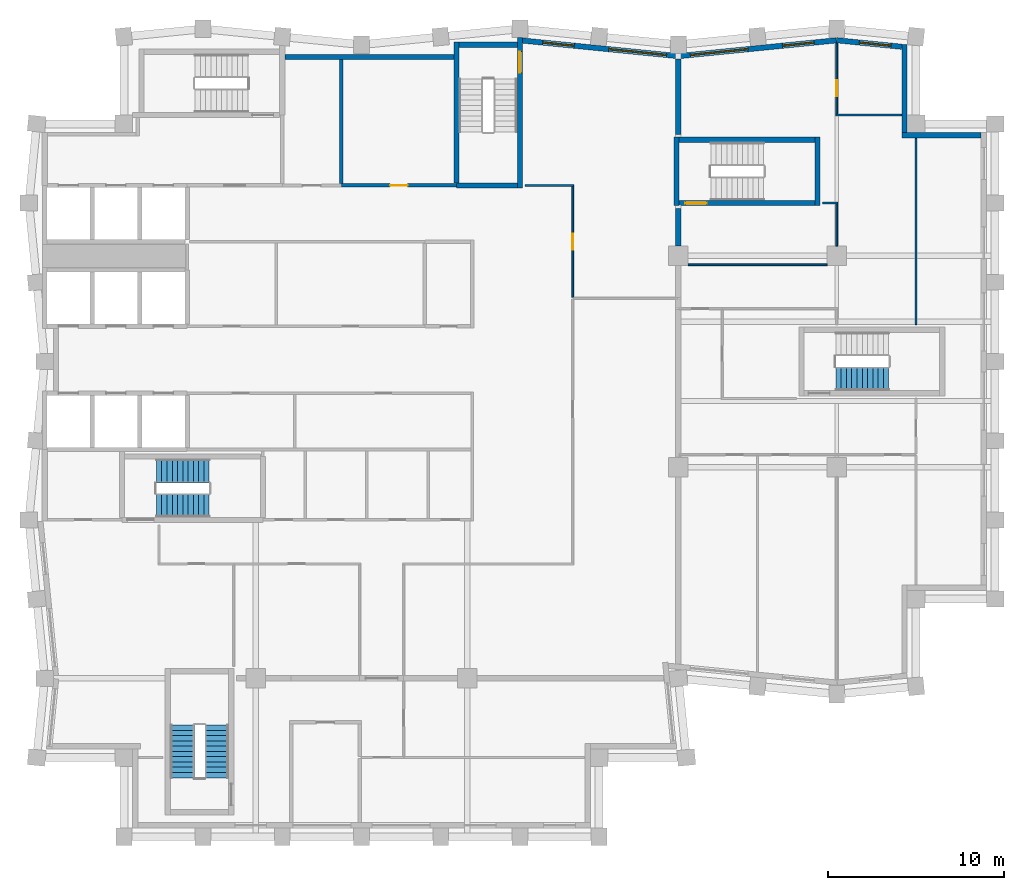
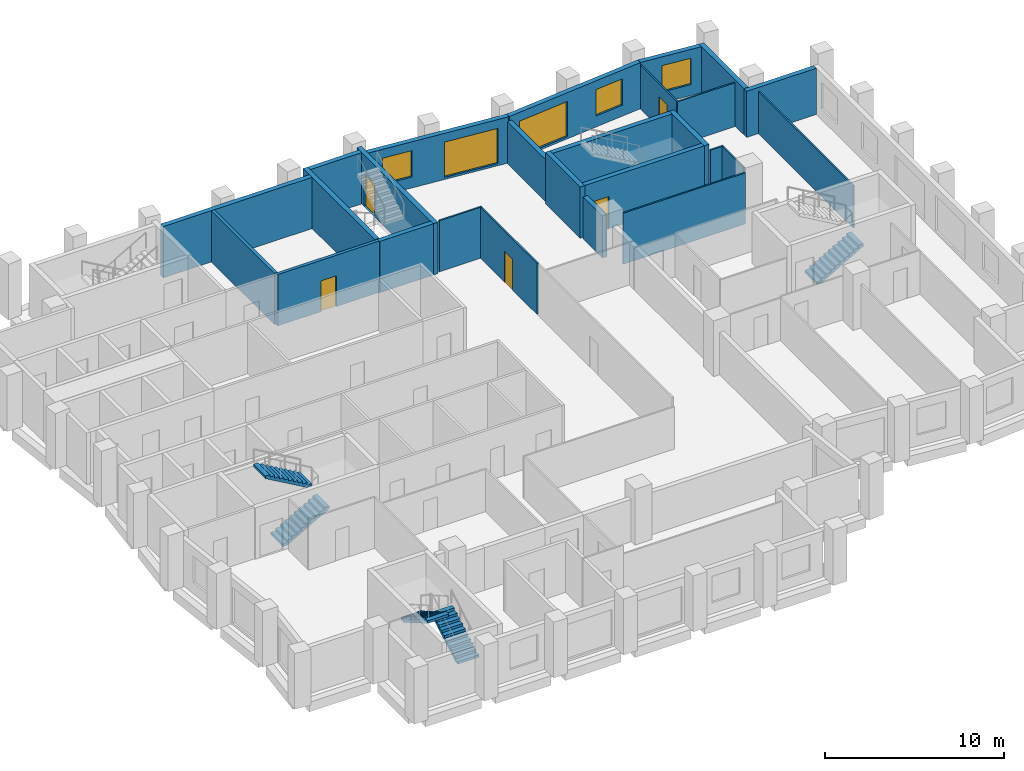
# One storey, part 6 of 8: 26 walls, 5 doors, 5 stair flights, 5 windows, 10 openings, 3 elements without a shape of their own.
"""IFC4 building model written with IfcOpenShell, lengths in metres."""

from ifc_helpers import new_model, si_unit, direction, frame, frame_2d, origin, place, context, subcontext, project, spatial, polyline, rectangle, outline, extrude, material, layer, layer_set, type_object, element, fill, aggregate, save


model = new_model("IFC4")

# Units and contexts
model_context = context("Model", 3, precision=1e-05, world=origin(), true_north=direction((0.0, 1.0)))
body_context = subcontext(model_context, "Body", "Model", "MODEL_VIEW")
ifc_project = project(units=[si_unit("LENGTHUNIT", "METRE"), si_unit("AREAUNIT", "SQUARE_METRE"), si_unit("VOLUMEUNIT", "CUBIC_METRE"), si_unit("PLANEANGLEUNIT", "RADIAN"), si_unit("MASSUNIT", "GRAM", prefix="KILO")], contexts=[model_context])

# Site, building, storey
site_placement = place(None, origin())
site = spatial("IfcSite", under=ifc_project, at=site_placement, CompositionType="ELEMENT")
building_placement = place(site_placement, origin())
building = spatial("IfcBuilding", under=site, at=building_placement, Name="Brondeck Convention Tower", CompositionType="ELEMENT")
storey_placement = place(building_placement, frame((0.0, 0.0, 225.39990234375)))
storey = spatial("IfcBuildingStorey", under=building, at=storey_placement, Name="L55", CompositionType="ELEMENT", Elevation=225.39990234375)

# Walls
ifc_material_1 = material(Name="Concrete compartment wall C30/37", Category="concrete")
ifc_layer_1 = layer(ifc_material_1, 0.300048828125)
ifc_layer_set_1 = layer_set([ifc_layer_1], Name="Compartment wall 300")
wall_type_1 = type_object("IfcWallType", Name="Compartment wall 300", PredefinedType="PARTITIONING", material=ifc_layer_set_1)
wall_1_placement = place(storey_placement, frame((36.0, 51.554931640625, 0.0), z_axis=(0.0, 0.0, 1.0), x_axis=(0.0, 1.0, 0.0)))
element("IfcWall", 1, at=wall_1_placement, inside=storey, type_object=wall_type_1, Name="FLR-L55-W048", PredefinedType="PARTITIONING", context=body_context, shape_type="SweptSolid", body=[
    extrude(rectangle(XDim=2.14501953125, YDim=0.300048828125, at=frame_2d((1.072509765625, 0.0))), origin(), (0.0, 0.0, 1.0), 2.880126953125),
])
wall_2_placement = place(storey_placement, frame((36.0, 57.89990234375, 0.0), z_axis=(0.0, 0.0, 1.0), x_axis=(0.0, 1.0, 0.0)))
element("IfcWall", 2, at=wall_2_placement, inside=storey, type_object=wall_type_1, Name="FLR-L55-W053", PredefinedType="PARTITIONING", context=body_context, shape_type="SweptSolid", body=[
    extrude(rectangle(XDim=4.2763671875, YDim=0.300048828125, at=frame_2d((2.13818359375, 0.0))), origin(), (0.0, 0.0, 1.0), 2.880126953125),
])
ifc_material_2 = material(Name="Concrete C50/60", Category="concrete")
ifc_layer_2 = layer(ifc_material_2, 0.300048828125)
ifc_layer_set_2 = layer_set([ifc_layer_2], Name="Core outer wall 300 Concrete C50/60")
wall_type_2 = type_object("IfcWallType", Name="Core outer wall 300 Concrete C50/60", PredefinedType="SHEAR", material=ifc_layer_set_2)
wall_3_placement = place(storey_placement, frame((13.64990234375, 62.300048828125, 0.0), z_axis=(0.0, 0.0, 1.0), x_axis=(1.0, 0.0, 0.0)))
element("IfcWall", 3, at=wall_3_placement, inside=storey, type_object=wall_type_2, Name="L55 core wall", PredefinedType="SHEAR", context=body_context, shape_type="SweptSolid", body=[
    extrude(rectangle(XDim=9.60009765625, YDim=0.300048828125, at=frame_2d((4.800048828125, 0.0))), origin(), (0.0, 0.0, 1.0), 3.5),
])
ifc_material_3 = material(Name="Precast concrete C50/60 bronze finish", Category="concrete")
ifc_layer_3 = layer(ifc_material_3, 0.070068359375, Name="Bronze precast facing")
ifc_material_4 = material(Name="Mineral wool")
ifc_layer_4 = layer(ifc_material_4, 0.159912109375, Name="Insulation")
ifc_material_5 = material(Name="Concrete C35/45", Category="concrete")
ifc_layer_5 = layer(ifc_material_5, 0.070068359375, Name="Backing")
ifc_layer_set_3 = layer_set([ifc_layer_3, ifc_layer_4, ifc_layer_5], Name="External infill wall, precast concrete C50/60 bronze facing")
wall_type_3 = type_object("IfcWallType", Name="External infill wall, precast concrete C50/60 bronze facing", PredefinedType="SOLIDWALL", material=ifc_layer_set_3)
wall_4_placement = place(storey_placement, frame((48.699951171875, 57.85009765625, 0.0), z_axis=(0.0, 0.0, 1.0), x_axis=(1.0, 0.0, 0.0)))
element("IfcWall", 4, at=wall_4_placement, inside=storey, type_object=wall_type_3, Name="ENV-EW-L55-P2-NC-NEA54-01", PredefinedType="SOLIDWALL", context=body_context, shape_type="SweptSolid", body=[
    extrude(rectangle(XDim=4.501953125, YDim=0.300048828125, at=frame_2d((2.2509765625, 0.0))), origin(), (0.0, 0.0, 1.0), 3.150146484375),
])
wall_5_placement = place(storey_placement, frame((48.85009765625, 62.99755859375, 0.0), z_axis=(0.0, 0.0, 1.0), x_axis=(0.0, -1.0, 0.0)))
element("IfcWall", 5, at=wall_5_placement, inside=storey, type_object=wall_type_3, Name="ENV-EW-L55-P2-NC-NEA54-02", PredefinedType="SOLIDWALL", context=body_context, shape_type="SweptSolid", body=[
    extrude(rectangle(XDim=4.99951171875, YDim=0.300048828125, at=frame_2d((2.499755859375, 0.0))), origin(), (0.0, 0.0, 1.0), 3.150146484375),
])

# Wall, opening, window
wall_6_placement = place(storey_placement, frame((44.985107421875, 63.248291015625, 0.0), z_axis=(0.0, 0.0, 1.0), x_axis=(0.995037837869, -0.099497242219, 0.0)))
wall_6 = element("IfcWall", 6, at=wall_6_placement, inside=storey, type_object=wall_type_3, Name="ENV-EW-L55-P2-A-N-10", PredefinedType="SOLIDWALL", context=body_context, shape_type="SweptSolid", body=[
    extrude(rectangle(XDim=3.732177734375, YDim=0.300048828125, at=frame_2d((1.8662109375, 0.0))), origin(), (0.0, 0.0, 1.0), 3.150146484375),
])
opening_1_placement = place(wall_6_placement, frame((1.311279296875, 0.0, 0.75)))
opening_1 = element("IfcOpeningElement", 7, at=opening_1_placement, cuts=wall_6, Name="Opening W10", PredefinedType="OPENING", context=body_context, shape_type="SweptSolid", body=[
    extrude(rectangle(XDim=1.800048828125, YDim=1.800048828125, at=frame_2d((0.89990234375, 0.89990234375))), frame((0.0, 0.159912109375, 0.0), z_axis=(0.0, -1.0, 0.0), x_axis=(1.0, 0.0, 0.0)), (0.0, 0.0, 1.0), 0.320068359375),
])
ifc_material_6 = material(Name="Bronze tinted double glazing", Category="glass")
window_type_1 = type_object("IfcWindowType", Name="Punched window, bronze tinted", PartitioningType="SINGLE_PANEL", PredefinedType="WINDOW", material=ifc_material_6)
window_1_placement = place(opening_1_placement, origin())
window_1 = element("IfcWindow", 8, at=window_1_placement, inside=storey, type_object=window_type_1, Name="ENV-WN-L55-P2-A-N-10", OverallHeight=1.800048828125, OverallWidth=1.800048828125, PartitioningType="SINGLE_PANEL", PredefinedType="WINDOW", context=body_context, shape_type="SweptSolid", body=[
    extrude(rectangle(XDim=1.800048828125, YDim=1.800048828125, at=frame_2d((0.89990234375, 0.89990234375))), frame((0.0, 0.030029296875, 0.0), z_axis=(0.0, -1.0, 0.0), x_axis=(1.0, 0.0, 0.0)), (0.0, 0.0, 1.0), 0.06005859375),
])
fill(opening_1, window_1)

# Wall, openings, windows
wall_7_placement = place(storey_placement, frame((35.985107421875, 62.34521484375, 0.0), z_axis=(0.0, 0.0, 1.0), x_axis=(0.995035316196, 0.099522457379, 0.0)))
wall_7 = element("IfcWall", 9, at=wall_7_placement, inside=storey, type_object=wall_type_3, Name="ENV-EW-L55-P2-A-N-09", PredefinedType="SOLIDWALL", context=body_context, shape_type="SweptSolid", body=[
    extrude(rectangle(XDim=9.030029296875, YDim=0.300048828125, at=frame_2d((4.51513671875, 0.0))), origin(), (0.0, 0.0, 1.0), 3.150146484375),
])
opening_2_placement = place(wall_7_placement, frame((0.691162109375, 0.0, 0.14990234375)))
opening_2 = element("IfcOpeningElement", 10, at=opening_2_placement, cuts=wall_7, Name="Opening W9", PredefinedType="OPENING", context=body_context, shape_type="SweptSolid", body=[
    extrude(rectangle(XDim=3.300048828125, YDim=2.39990234375, at=frame_2d((1.64990234375, 1.199951171875))), frame((0.0, 0.159912109375, 0.0), z_axis=(0.0, -1.0, 0.0), x_axis=(1.0, 0.0, 0.0)), (0.0, 0.0, 1.0), 0.320068359375),
])
opening_3_placement = place(wall_7_placement, frame((5.963623046875, 0.0, 0.75)))
opening_3 = element("IfcOpeningElement", 11, at=opening_3_placement, cuts=wall_7, Name="Opening W10", PredefinedType="OPENING", context=body_context, shape_type="SweptSolid", body=[
    extrude(rectangle(XDim=1.800048828125, YDim=1.800048828125, at=frame_2d((0.89990234375, 0.89990234375))), frame((0.0, 0.159912109375, 0.0), z_axis=(0.0, -1.0, 0.0), x_axis=(1.0, 0.0, 0.0)), (0.0, 0.0, 1.0), 0.320068359375),
])
window_type_2 = type_object("IfcWindowType", Name="Glazed flute window, bronze tinted", PartitioningType="SINGLE_PANEL", PredefinedType="WINDOW", material=ifc_material_6)
window_2_placement = place(opening_2_placement, origin())
window_2 = element("IfcWindow", 12, at=window_2_placement, inside=storey, type_object=window_type_2, Name="ENV-WN-L55-P2-A-N-08", OverallHeight=2.39990234375, OverallWidth=3.300048828125, PartitioningType="SINGLE_PANEL", PredefinedType="WINDOW", context=body_context, shape_type="SweptSolid", body=[
    extrude(rectangle(XDim=3.300048828125, YDim=2.39990234375, at=frame_2d((1.64990234375, 1.199951171875))), frame((0.0, 0.030029296875, 0.0), z_axis=(0.0, -1.0, 0.0), x_axis=(1.0, 0.0, 0.0)), (0.0, 0.0, 1.0), 0.06005859375),
])
fill(opening_2, window_2)
window_3_placement = place(opening_3_placement, origin())
window_3 = element("IfcWindow", 13, at=window_3_placement, inside=storey, type_object=window_type_1, Name="ENV-WN-L55-P2-A-N-09", OverallHeight=1.800048828125, OverallWidth=1.800048828125, PartitioningType="SINGLE_PANEL", PredefinedType="WINDOW", context=body_context, shape_type="SweptSolid", body=[
    extrude(rectangle(XDim=1.800048828125, YDim=1.800048828125, at=frame_2d((0.89990234375, 0.89990234375))), frame((0.0, 0.030029296875, 0.0), z_axis=(0.0, -1.0, 0.0), x_axis=(1.0, 0.0, 0.0)), (0.0, 0.0, 1.0), 0.06005859375),
])
fill(opening_3, window_3)

wall_8_placement = place(storey_placement, frame((27.084716796875, 63.23828125, 0.0), z_axis=(0.0, 0.0, 1.0), x_axis=(0.995035836657, -0.099517253618, 0.0)))
wall_8 = element("IfcWall", 14, at=wall_8_placement, inside=storey, type_object=wall_type_3, Name="ENV-EW-L55-P2-A-N-07", PredefinedType="SOLIDWALL", context=body_context, shape_type="SweptSolid", body=[
    extrude(rectangle(XDim=8.929931640625, YDim=0.300048828125, at=frame_2d((4.46484375, 0.0))), origin(), (0.0, 0.0, 1.0), 3.150146484375),
])
opening_4_placement = place(wall_8_placement, frame((1.211181640625, 0.0, 0.75)))
opening_4 = element("IfcOpeningElement", 15, at=opening_4_placement, cuts=wall_8, Name="Opening W10", PredefinedType="OPENING", context=body_context, shape_type="SweptSolid", body=[
    extrude(rectangle(XDim=1.800048828125, YDim=1.800048828125, at=frame_2d((0.89990234375, 0.89990234375))), frame((0.0, 0.159912109375, 0.0), z_axis=(0.0, -1.0, 0.0), x_axis=(1.0, 0.0, 0.0)), (0.0, 0.0, 1.0), 0.320068359375),
])
opening_5_placement = place(wall_8_placement, frame((4.983642578125, 0.0, 0.14990234375)))
opening_5 = element("IfcOpeningElement", 16, at=opening_5_placement, cuts=wall_8, Name="Opening W9", PredefinedType="OPENING", context=body_context, shape_type="SweptSolid", body=[
    extrude(rectangle(XDim=3.300048828125, YDim=2.39990234375, at=frame_2d((1.64990234375, 1.199951171875))), frame((0.0, 0.159912109375, 0.0), z_axis=(0.0, -1.0, 0.0), x_axis=(1.0, 0.0, 0.0)), (0.0, 0.0, 1.0), 0.320068359375),
])
window_4_placement = place(opening_5_placement, origin())
window_4 = element("IfcWindow", 17, at=window_4_placement, inside=storey, type_object=window_type_2, Name="ENV-WN-L55-P2-A-N-07", OverallHeight=2.39990234375, OverallWidth=3.300048828125, PartitioningType="SINGLE_PANEL", PredefinedType="WINDOW", context=body_context, shape_type="SweptSolid", body=[
    extrude(rectangle(XDim=3.300048828125, YDim=2.39990234375, at=frame_2d((1.64990234375, 1.199951171875))), frame((0.0, 0.030029296875, 0.0), z_axis=(0.0, -1.0, 0.0), x_axis=(1.0, 0.0, 0.0)), (0.0, 0.0, 1.0), 0.06005859375),
])
fill(opening_5, window_4)
window_5_placement = place(opening_4_placement, origin())
window_5 = element("IfcWindow", 18, at=window_5_placement, inside=storey, type_object=window_type_1, Name="ENV-WN-L55-P2-A-N-06", OverallHeight=1.800048828125, OverallWidth=1.800048828125, PartitioningType="SINGLE_PANEL", PredefinedType="WINDOW", context=body_context, shape_type="SweptSolid", body=[
    extrude(rectangle(XDim=1.800048828125, YDim=1.800048828125, at=frame_2d((0.89990234375, 0.89990234375))), frame((0.0, 0.030029296875, 0.0), z_axis=(0.0, -1.0, 0.0), x_axis=(1.0, 0.0, 0.0)), (0.0, 0.0, 1.0), 0.06005859375),
])
fill(opening_4, window_5)

# Wall, opening, door
ifc_material_7 = material(Name="Fire-rated gypsum board partition")
ifc_layer_6 = layer(ifc_material_7, 0.199951171875)
ifc_layer_set_4 = layer_set([ifc_layer_6], Name="Riser wall 200 EI 120")
wall_type_4 = type_object("IfcWallType", Name="Riser wall 200 EI 120", PredefinedType="PARTITIONING", material=ifc_layer_set_4)
wall_9_placement = place(storey_placement, frame((16.85009765625, 55.0, 0.0), z_axis=(0.0, 0.0, 1.0), x_axis=(1.0, 0.0, 0.0)))
wall_9 = element("IfcWall", 19, at=wall_9_placement, inside=storey, type_object=wall_type_4, Name="L55 core wall", PredefinedType="PARTITIONING", context=body_context, shape_type="SweptSolid", body=[
    extrude(rectangle(XDim=6.5498046875, YDim=0.199951171875, at=frame_2d((3.27490234375, 0.0))), origin(), (0.0, 0.0, 1.0), 3.5),
])
opening_6_placement = place(wall_9_placement, frame((2.77490234375, 0.0, 0.0)))
opening_6 = element("IfcOpeningElement", 20, at=opening_6_placement, cuts=wall_9, Name="Opening C30-13", PredefinedType="OPENING", context=body_context, shape_type="SweptSolid", body=[
    extrude(rectangle(XDim=1.0, YDim=2.10009765625, at=frame_2d((0.5, 1.050048828125))), frame((0.0, 0.10986328125, 0.0), z_axis=(0.0, -1.0, 0.0), x_axis=(1.0, 0.0, 0.0)), (0.0, 0.0, 1.0), 0.219970703125),
])
ifc_material_8 = material(Name="Steel fire door", Category="steel")
door_type_1 = type_object("IfcDoorType", Name="Riser door 1000x2100 EI 120", OperationType="NOTDEFINED", PredefinedType="DOOR", material=ifc_material_8)
door_1_placement = place(opening_6_placement, origin())
door_1 = element("IfcDoor", 21, at=door_1_placement, inside=storey, type_object=door_type_1, Name="L55 Riser door NE-2", OperationType="SINGLE_SWING_RIGHT", OverallHeight=2.10009765625, OverallWidth=1.0, PredefinedType="DOOR", context=body_context, shape_type="SweptSolid", body=[
    extrude(rectangle(XDim=1.0, YDim=2.10009765625, at=frame_2d((0.5, 1.050048828125))), frame((0.0, 0.02490234375, 0.0), z_axis=(0.0, -1.0, 0.0), x_axis=(1.0, 0.0, 0.0)), (0.0, 0.0, 1.0), 0.050048828125),
])
fill(opening_6, door_1)

# Walls
wall_10_placement = place(storey_placement, frame((16.85009765625, 55.10009765625, 0.0), z_axis=(0.0, 0.0, 1.0), x_axis=(0.0, 1.0, 0.0)))
element("IfcWall", 22, at=wall_10_placement, inside=storey, type_object=wall_type_4, Name="L55 core wall", PredefinedType="PARTITIONING", context=body_context, shape_type="SweptSolid", body=[
    extrude(rectangle(XDim=7.0498046875, YDim=0.199951171875, at=frame_2d((3.52490234375, 0.0))), origin(), (0.0, 0.0, 1.0), 3.5),
])
ifc_material_9 = material(Name="Gypsum board partition on steel studs", Category="steel")
ifc_layer_7 = layer(ifc_material_9, 0.10009765625)
ifc_layer_set_5 = layer_set([ifc_layer_7], Name="Room partition 100")
wall_type_5 = type_object("IfcWallType", Name="Room partition 100", PredefinedType="PARTITIONING", material=ifc_layer_set_5)
wall_11_placement = place(storey_placement, frame((49.5, 47.10009765625, 0.0), z_axis=(0.0, 0.0, 1.0), x_axis=(0.0, 1.0, 0.0)))
element("IfcWall", 23, at=wall_11_placement, inside=storey, type_object=wall_type_5, Name="FLR-L55-W038", PredefinedType="PARTITIONING", context=body_context, shape_type="SweptSolid", body=[
    extrude(rectangle(XDim=10.579833984375, YDim=0.10009765625, at=frame_2d((5.2900390625, 0.0))), origin(), (0.0, 0.0, 1.0), 2.880126953125),
])
wall_12_placement = place(storey_placement, frame((44.445068359375, 50.5, 0.0), z_axis=(0.0, 0.0, 1.0), x_axis=(-1.0, 0.0, 0.0)))
element("IfcWall", 24, at=wall_12_placement, inside=storey, type_object=wall_type_5, Name="FLR-L55-W047", PredefinedType="PARTITIONING", context=body_context, shape_type="SweptSolid", body=[
    extrude(rectangle(XDim=7.89013671875, YDim=0.10009765625, at=frame_2d((3.945068359375, 0.0))), origin(), (0.0, 0.0, 1.0), 3.47998046875),
])
wall_13_placement = place(storey_placement, frame((45.0, 53.949951171875, 0.0), z_axis=(0.0, 0.0, 1.0), x_axis=(0.0, -1.0, 0.0)))
element("IfcWall", 25, at=wall_13_placement, inside=storey, type_object=wall_type_5, Name="FLR-L55-W049", PredefinedType="PARTITIONING", context=body_context, shape_type="SweptSolid", body=[
    extrude(rectangle(XDim=2.39501953125, YDim=0.10009765625, at=frame_2d((1.197509765625, 0.0))), origin(), (0.0, 0.0, 1.0), 2.97998046875),
])
wall_14_placement = place(storey_placement, frame((44.199951171875, 54.0, 0.0), z_axis=(0.0, 0.0, 1.0), x_axis=(1.0, 0.0, 0.0)))
element("IfcWall", 26, at=wall_14_placement, inside=storey, type_object=wall_type_5, Name="FLR-L55-W050", PredefinedType="PARTITIONING", context=body_context, shape_type="SweptSolid", body=[
    extrude(rectangle(XDim=0.85009765625, YDim=0.10009765625, at=frame_2d((0.425048828125, 0.0))), origin(), (0.0, 0.0, 1.0), 2.97998046875),
])

# Wall, opening, door
wall_15_placement = place(storey_placement, frame((30.0, 54.949951171875, 0.0), z_axis=(0.0, 0.0, 1.0), x_axis=(0.0, -1.0, 0.0)))
wall_15 = element("IfcWall", 27, at=wall_15_placement, inside=storey, type_object=wall_type_5, Name="FLR-L55-W051", PredefinedType="PARTITIONING", context=body_context, shape_type="SweptSolid", body=[
    extrude(rectangle(XDim=6.31201171875, YDim=0.10009765625, at=frame_2d((3.156005859375, 0.0))), origin(), (0.0, 0.0, 1.0), 3.47998046875),
])
opening_7_placement = place(wall_15_placement, frame((2.7060546875, 0.0, 0.0)))
opening_7 = element("IfcOpeningElement", 28, at=opening_7_placement, cuts=wall_15, Name="Opening OF-M-014", PredefinedType="OPENING", context=body_context, shape_type="SweptSolid", body=[
    extrude(rectangle(XDim=0.89990234375, YDim=2.10009765625, at=frame_2d((0.449951171875, 1.050048828125))), frame((0.0, 0.06005859375, 0.0), z_axis=(0.0, -1.0, 0.0), x_axis=(1.0, 0.0, 0.0)), (0.0, 0.0, 1.0), 0.1201171875),
])
ifc_material_10 = material(Name="Solid timber door leaf", Category="wood")
door_type_2 = type_object("IfcDoorType", Name="Single door 900", OperationType="NOTDEFINED", PredefinedType="DOOR", material=ifc_material_10)
door_2_placement = place(opening_7_placement, origin())
door_2 = element("IfcDoor", 29, at=door_2_placement, inside=storey, type_object=door_type_2, Name="Door OF-M-014", OperationType="SINGLE_SWING_LEFT", OverallHeight=2.10009765625, OverallWidth=0.89990234375, PredefinedType="DOOR", context=body_context, shape_type="SweptSolid", body=[
    extrude(rectangle(XDim=0.89990234375, YDim=2.10009765625, at=frame_2d((0.449951171875, 1.050048828125))), frame((0.0, 0.02490234375, 0.0), z_axis=(0.0, -1.0, 0.0), x_axis=(1.0, 0.0, 0.0)), (0.0, 0.0, 1.0), 0.050048828125),
])
fill(opening_7, door_2)

# Walls
wall_16_placement = place(storey_placement, frame((27.300048828125, 55.0, 0.0), z_axis=(0.0, 0.0, 1.0), x_axis=(1.0, 0.0, 0.0)))
element("IfcWall", 30, at=wall_16_placement, inside=storey, type_object=wall_type_5, Name="FLR-L55-W052", PredefinedType="PARTITIONING", context=body_context, shape_type="SweptSolid", body=[
    extrude(rectangle(XDim=2.75, YDim=0.10009765625, at=frame_2d((1.375, 0.0))), origin(), (0.0, 0.0, 1.0), 3.47998046875),
])
wall_17_placement = place(storey_placement, frame((44.949951171875, 59.0, 0.0), z_axis=(0.0, 0.0, 1.0), x_axis=(1.0, 0.0, 0.0)))
element("IfcWall", 31, at=wall_17_placement, inside=storey, type_object=wall_type_5, Name="FLR-L55-W054", PredefinedType="PARTITIONING", context=body_context, shape_type="SweptSolid", body=[
    extrude(rectangle(XDim=3.72998046875, YDim=0.10009765625, at=frame_2d((1.864990234375, 0.0))), origin(), (0.0, 0.0, 1.0), 2.97998046875),
])

# Wall, opening, door
wall_18_placement = place(storey_placement, frame((45.0, 63.076171875, 0.0), z_axis=(0.0, 0.0, 1.0), x_axis=(0.0, -1.0, 0.0)))
wall_18 = element("IfcWall", 32, at=wall_18_placement, inside=storey, type_object=wall_type_5, Name="FLR-L55-W056", PredefinedType="PARTITIONING", context=body_context, shape_type="SweptSolid", body=[
    extrude(rectangle(XDim=4.026123046875, YDim=0.10009765625, at=frame_2d((2.01318359375, 0.0))), origin(), (0.0, 0.0, 1.0), 2.97998046875),
])
opening_8_placement = place(wall_18_placement, frame((2.10107421875, 0.0, 0.0)))
opening_8 = element("IfcOpeningElement", 33, at=opening_8_placement, cuts=wall_18, Name="Opening OF-M-008", PredefinedType="OPENING", context=body_context, shape_type="SweptSolid", body=[
    extrude(rectangle(XDim=0.89990234375, YDim=2.10009765625, at=frame_2d((0.449951171875, 1.050048828125))), frame((0.0, 0.06005859375, 0.0), z_axis=(0.0, -1.0, 0.0), x_axis=(1.0, 0.0, 0.0)), (0.0, 0.0, 1.0), 0.1201171875),
])
door_3_placement = place(opening_8_placement, origin())
door_3 = element("IfcDoor", 34, at=door_3_placement, inside=storey, type_object=door_type_2, Name="Door OF-M-008", OperationType="SINGLE_SWING_LEFT", OverallHeight=2.10009765625, OverallWidth=0.89990234375, PredefinedType="DOOR", context=body_context, shape_type="SweptSolid", body=[
    extrude(rectangle(XDim=0.89990234375, YDim=2.10009765625, at=frame_2d((0.449951171875, 1.050048828125))), frame((0.0, 0.02490234375, 0.0), z_axis=(0.0, -1.0, 0.0), x_axis=(1.0, 0.0, 0.0)), (0.0, 0.0, 1.0), 0.050048828125),
])
fill(opening_8, door_3)

ifc_layer_8 = layer(ifc_material_2, 0.300048828125)
ifc_layer_set_6 = layer_set([ifc_layer_8], Name="Stair enclosure wall 300 Concrete C50/60")
wall_type_6 = type_object("IfcWallType", Name="Stair enclosure wall 300 Concrete C50/60", PredefinedType="SHEAR", material=ifc_layer_set_6)
wall_19_placement = place(storey_placement, frame((36.050048828125, 54.0, 0.0), z_axis=(0.0, 0.0, 1.0), x_axis=(1.0, 0.0, 0.0)))
wall_19 = element("IfcWall", 35, at=wall_19_placement, inside=storey, type_object=wall_type_6, Name="L55 core wall", PredefinedType="SHEAR", context=body_context, shape_type="SweptSolid", body=[
    extrude(rectangle(XDim=7.699951171875, YDim=0.300048828125, at=frame_2d((3.85009765625, 0.0))), origin(), (0.0, 0.0, 1.0), 3.5),
])
opening_9_placement = place(wall_19_placement, frame((0.35009765625, 0.0, 0.0)))
opening_9 = element("IfcOpeningElement", 36, at=opening_9_placement, cuts=wall_19, Name="Opening C30-17", PredefinedType="OPENING", context=body_context, shape_type="SweptSolid", body=[
    extrude(rectangle(XDim=1.199951171875, YDim=2.199951171875, at=frame_2d((0.60009765625, 1.10009765625))), frame((0.0, 0.159912109375, 0.0), z_axis=(0.0, -1.0, 0.0), x_axis=(1.0, 0.0, 0.0)), (0.0, 0.0, 1.0), 0.320068359375),
])
door_type_3 = type_object("IfcDoorType", Name="Stair door 1200x2200 EI 90", OperationType="NOTDEFINED", PredefinedType="DOOR", material=ifc_material_8)
door_4_placement = place(opening_9_placement, origin())
door_4 = element("IfcDoor", 37, at=door_4_placement, inside=storey, type_object=door_type_3, Name="L55 Stair door ST-AE", OperationType="SINGLE_SWING_LEFT", OverallHeight=2.199951171875, OverallWidth=1.199951171875, PredefinedType="DOOR", context=body_context, shape_type="SweptSolid", body=[
    extrude(rectangle(XDim=1.199951171875, YDim=2.199951171875, at=frame_2d((0.60009765625, 1.10009765625))), frame((0.0, 0.02490234375, 0.0), z_axis=(0.0, -1.0, 0.0), x_axis=(1.0, 0.0, 0.0)), (0.0, 0.0, 1.0), 0.050048828125),
])
fill(opening_9, door_4)

# Walls
wall_20_placement = place(storey_placement, frame((23.39990234375, 55.0, 0.0), z_axis=(0.0, 0.0, 1.0), x_axis=(1.0, 0.0, 0.0)))
element("IfcWall", 38, at=wall_20_placement, inside=storey, type_object=wall_type_6, Name="L55 core wall", PredefinedType="SHEAR", context=body_context, shape_type="SweptSolid", body=[
    extrude(rectangle(XDim=3.4501953125, YDim=0.300048828125, at=frame_2d((1.72509765625, 0.0))), origin(), (0.0, 0.0, 1.0), 3.5),
])
wall_21_placement = place(storey_placement, frame((36.050048828125, 57.60009765625, 0.0), z_axis=(0.0, 0.0, 1.0), x_axis=(1.0, 0.0, 0.0)))
element("IfcWall", 39, at=wall_21_placement, inside=storey, type_object=wall_type_6, Name="L55 core wall", PredefinedType="SHEAR", context=body_context, shape_type="SweptSolid", body=[
    extrude(rectangle(XDim=7.699951171875, YDim=0.300048828125, at=frame_2d((3.85009765625, 0.0))), origin(), (0.0, 0.0, 1.0), 3.5),
])
wall_22_placement = place(storey_placement, frame((23.550048828125, 63.0, 0.0), z_axis=(0.0, 0.0, 1.0), x_axis=(1.0, 0.0, 0.0)))
element("IfcWall", 40, at=wall_22_placement, inside=storey, type_object=wall_type_6, Name="L55 core wall", PredefinedType="SHEAR", context=body_context, shape_type="SweptSolid", body=[
    extrude(rectangle(XDim=3.300048828125, YDim=0.300048828125, at=frame_2d((1.64990234375, 0.0))), origin(), (0.0, 0.0, 1.0), 3.5),
])
wall_23_placement = place(storey_placement, frame((23.39990234375, 55.14990234375, 0.0), z_axis=(0.0, 0.0, 1.0), x_axis=(0.0, 1.0, 0.0)))
element("IfcWall", 41, at=wall_23_placement, inside=storey, type_object=wall_type_6, Name="L55 core wall", PredefinedType="SHEAR", context=body_context, shape_type="SweptSolid", body=[
    extrude(rectangle(XDim=8.0, YDim=0.300048828125, at=frame_2d((4.0, 0.0))), origin(), (0.0, 0.0, 1.0), 3.5),
])

# Wall, opening, door
wall_24_placement = place(storey_placement, frame((27.0, 54.85009765625, 0.0), z_axis=(0.0, 0.0, 1.0), x_axis=(0.0, 1.0, 0.0)))
wall_24 = element("IfcWall", 42, at=wall_24_placement, inside=storey, type_object=wall_type_6, Name="L55 core wall", PredefinedType="SHEAR", context=body_context, shape_type="SweptSolid", body=[
    extrude(rectangle(XDim=8.5498046875, YDim=0.300048828125, at=frame_2d((4.27490234375, 0.0))), origin(), (0.0, 0.0, 1.0), 3.5),
])
opening_10_placement = place(wall_24_placement, frame((6.550048828125, 0.0, 0.0)))
opening_10 = element("IfcOpeningElement", 43, at=opening_10_placement, cuts=wall_24, Name="Opening C30-15", PredefinedType="OPENING", context=body_context, shape_type="SweptSolid", body=[
    extrude(rectangle(XDim=1.199951171875, YDim=2.199951171875, at=frame_2d((0.60009765625, 1.10009765625))), frame((0.0, 0.159912109375, 0.0), z_axis=(0.0, -1.0, 0.0), x_axis=(1.0, 0.0, 0.0)), (0.0, 0.0, 1.0), 0.320068359375),
])
door_5_placement = place(opening_10_placement, origin())
door_5 = element("IfcDoor", 44, at=door_5_placement, inside=storey, type_object=door_type_3, Name="L55 Stair door ST-2", OperationType="SINGLE_SWING_LEFT", OverallHeight=2.199951171875, OverallWidth=1.199951171875, PredefinedType="DOOR", context=body_context, shape_type="SweptSolid", body=[
    extrude(rectangle(XDim=1.199951171875, YDim=2.199951171875, at=frame_2d((0.60009765625, 1.10009765625))), frame((0.0, 0.02490234375, 0.0), z_axis=(0.0, -1.0, 0.0), x_axis=(1.0, 0.0, 0.0)), (0.0, 0.0, 1.0), 0.050048828125),
])
fill(opening_10, door_5)

# Walls
for number, where, z_axis, x_axis, name in (
    (45, (35.89990234375, 53.85009765625, 0.0), (0.0, 0.0, 1.0), (0.0, 1.0, 0.0), "L55 core wall"),
    (46, (43.89990234375, 53.85009765625, 0.0), (0.0, 0.0, 1.0), (0.0, 1.0, 0.0), "L55 core wall"),
):
    element("IfcWall", number, at=place(storey_placement, frame(where, z_axis=z_axis, x_axis=x_axis)), inside=storey, type_object=wall_type_6, Name=name, PredefinedType="SHEAR", context=body_context, shape_type="SweptSolid", body=[
        extrude(rectangle(XDim=3.89990234375, YDim=0.300048828125, at=frame_2d((1.949951171875, 0.0))), origin(), (0.0, 0.0, 1.0), 3.5),
    ])

# Stair, stair flights
ifc_material_11 = material(Name="Precast concrete C50/60", Category="concrete")
stair_type = type_object("IfcStairType", Name="Core stair 22 risers 172.73 mm riser 300 mm going 1350 wide", PredefinedType="HALF_TURN_STAIR", material=ifc_material_11)
stair_1_placement = place(storey_placement, origin())
stair_1 = element("IfcStair", 47, at=stair_1_placement, inside=storey, type_object=stair_type, Name="ST-1 L55 stair", PredefinedType="HALF_TURN_STAIR")
stair_flight_type = type_object("IfcStairFlightType", Name="Core stair flight 22 risers 172.73 mm riser 300 mm going 1350 wide", PredefinedType="STRAIGHT", material=ifc_material_11)
stair_flight_1_placement = place(storey_placement, frame((6.35009765625, 36.824951171875, 0.0), z_axis=(0.0, 0.0, 1.0), x_axis=(1.0, 0.0, 0.0)))
stair_flight_1 = element("IfcStairFlight", 48, at=stair_flight_1_placement, type_object=stair_flight_type, Name="ST-1 flight 1", NumberOfRisers=11, NumberOfTreads=10, PredefinedType="STRAIGHT", RiserHeight=0.172727273, TreadLength=0.3, context=body_context, shape_type="SweptSolid", body=[
    extrude(outline(polyline([(0.0, 0.0), (0.0, 0.172607421875), (0.300048828125, 0.172607421875), (0.300048828125, 0.345458984375), (0.60009765625, 0.345458984375), (0.60009765625, 0.51806640625), (0.89990234375, 0.51806640625), (0.89990234375, 0.69091796875), (1.199951171875, 0.69091796875), (1.199951171875, 0.863525390625), (1.5, 0.863525390625), (1.5, 1.036376953125), (1.800048828125, 1.036376953125), (1.800048828125, 1.208984375), (2.10009765625, 1.208984375), (2.10009765625, 1.3818359375), (2.39990234375, 1.3818359375), (2.39990234375, 1.554443359375), (2.699951171875, 1.554443359375), (2.699951171875, 1.727294921875), (3.0, 1.727294921875), (3.0, 1.89990234375), (3.0, 1.55419921875), (0.300537109375, 0.0), (0.0, 0.0)])), frame((0.0, 0.675048828125, 0.0), z_axis=(0.0, -1.0, 0.0), x_axis=(1.0, 0.0, 0.0)), (0.0, 0.0, 1.0), 1.35009765625),
])
stair_flight_2_placement = place(storey_placement, frame((9.35009765625, 38.77490234375, 1.900146484375), z_axis=(0.0, 0.0, 1.0), x_axis=(-1.0, 0.0, 0.0)))
stair_flight_2 = element("IfcStairFlight", 49, at=stair_flight_2_placement, type_object=stair_flight_type, Name="ST-1 flight 2", NumberOfRisers=11, NumberOfTreads=10, PredefinedType="STRAIGHT", RiserHeight=0.172727273, TreadLength=0.3, context=body_context, shape_type="SweptSolid", body=[
    extrude(outline(polyline([(0.0, 0.0), (0.0, 0.172607421875), (0.300048828125, 0.172607421875), (0.300048828125, 0.345458984375), (0.60009765625, 0.345458984375), (0.60009765625, 0.51806640625), (0.89990234375, 0.51806640625), (0.89990234375, 0.69091796875), (1.199951171875, 0.69091796875), (1.199951171875, 0.863525390625), (1.5, 0.863525390625), (1.5, 1.036376953125), (1.800048828125, 1.036376953125), (1.800048828125, 1.208984375), (2.10009765625, 1.208984375), (2.10009765625, 1.3818359375), (2.39990234375, 1.3818359375), (2.39990234375, 1.554443359375), (2.699951171875, 1.554443359375), (2.699951171875, 1.727294921875), (3.0, 1.727294921875), (3.0, 1.89990234375), (3.0, 1.55419921875), (0.300537109375, 0.0), (0.0, 0.0)])), frame((0.0, 0.675048828125, 0.0), z_axis=(0.0, -1.0, 0.0), x_axis=(1.0, 0.0, 0.0)), (0.0, 0.0, 1.0), 1.35009765625),
])
aggregate(stair_1, [stair_flight_1, stair_flight_2])

stair_2_placement = place(storey_placement, origin())
stair_2 = element("IfcStair", 50, at=stair_2_placement, inside=storey, type_object=stair_type, Name="ST-BE L55 stair", PredefinedType="HALF_TURN_STAIR")
stair_flight_3_placement = place(storey_placement, frame((9.77490234375, 21.35009765625, 0.0), z_axis=(0.0, 0.0, 1.0), x_axis=(0.0, 1.0, 0.0)))
stair_flight_3 = element("IfcStairFlight", 51, at=stair_flight_3_placement, type_object=stair_flight_type, Name="ST-BE flight 1", NumberOfRisers=11, NumberOfTreads=10, PredefinedType="STRAIGHT", RiserHeight=0.172727273, TreadLength=0.3, context=body_context, shape_type="SweptSolid", body=[
    extrude(outline(polyline([(0.0, 0.0), (0.0, 0.172607421875), (0.300048828125, 0.172607421875), (0.300048828125, 0.345458984375), (0.60009765625, 0.345458984375), (0.60009765625, 0.51806640625), (0.89990234375, 0.51806640625), (0.89990234375, 0.69091796875), (1.199951171875, 0.69091796875), (1.199951171875, 0.863525390625), (1.5, 0.863525390625), (1.5, 1.036376953125), (1.800048828125, 1.036376953125), (1.800048828125, 1.208984375), (2.10009765625, 1.208984375), (2.10009765625, 1.3818359375), (2.39990234375, 1.3818359375), (2.39990234375, 1.554443359375), (2.699951171875, 1.554443359375), (2.699951171875, 1.727294921875), (3.0, 1.727294921875), (3.0, 1.89990234375), (3.0, 1.55419921875), (0.300537109375, 0.0), (0.0, 0.0)])), frame((0.0, 0.675048828125, 0.0), z_axis=(0.0, -1.0, 0.0), x_axis=(1.0, 0.0, 0.0)), (0.0, 0.0, 1.0), 1.35009765625),
])
stair_flight_4_placement = place(storey_placement, frame((7.824951171875, 24.35009765625, 1.900146484375), z_axis=(0.0, 0.0, 1.0), x_axis=(0.0, -1.0, 0.0)))
stair_flight_4 = element("IfcStairFlight", 52, at=stair_flight_4_placement, type_object=stair_flight_type, Name="ST-BE flight 2", NumberOfRisers=11, NumberOfTreads=10, PredefinedType="STRAIGHT", RiserHeight=0.172727273, TreadLength=0.3, context=body_context, shape_type="SweptSolid", body=[
    extrude(outline(polyline([(0.0, 0.0), (0.0, 0.172607421875), (0.300048828125, 0.172607421875), (0.300048828125, 0.345458984375), (0.60009765625, 0.345458984375), (0.60009765625, 0.51806640625), (0.89990234375, 0.51806640625), (0.89990234375, 0.69091796875), (1.199951171875, 0.69091796875), (1.199951171875, 0.863525390625), (1.5, 0.863525390625), (1.5, 1.036376953125), (1.800048828125, 1.036376953125), (1.800048828125, 1.208984375), (2.10009765625, 1.208984375), (2.10009765625, 1.3818359375), (2.39990234375, 1.3818359375), (2.39990234375, 1.554443359375), (2.699951171875, 1.554443359375), (2.699951171875, 1.727294921875), (3.0, 1.727294921875), (3.0, 1.89990234375), (3.0, 1.55419921875), (0.300537109375, 0.0), (0.0, 0.0)])), frame((0.0, 0.675048828125, 0.0), z_axis=(0.0, -1.0, 0.0), x_axis=(1.0, 0.0, 0.0)), (0.0, 0.0, 1.0), 1.35009765625),
])
aggregate(stair_2, [stair_flight_3, stair_flight_4])

# Stair, stair flight
stair_3_placement = place(storey_placement, origin())
stair_3 = element("IfcStair", 53, at=stair_3_placement, inside=storey, type_object=stair_type, Name="ST-AF L55 stair", PredefinedType="HALF_TURN_STAIR")
stair_flight_5_placement = place(storey_placement, frame((44.949951171875, 44.02490234375, 0.0), z_axis=(0.0, 0.0, 1.0), x_axis=(1.0, 0.0, 0.0)))
stair_flight_5 = element("IfcStairFlight", 54, at=stair_flight_5_placement, type_object=stair_flight_type, Name="ST-AF flight 1", NumberOfRisers=11, NumberOfTreads=10, PredefinedType="STRAIGHT", RiserHeight=0.172727273, TreadLength=0.3, context=body_context, shape_type="SweptSolid", body=[
    extrude(outline(polyline([(0.0, 0.0), (0.0, 0.172607421875), (0.300048828125, 0.172607421875), (0.300048828125, 0.345458984375), (0.60009765625, 0.345458984375), (0.60009765625, 0.51806640625), (0.89990234375, 0.51806640625), (0.89990234375, 0.69091796875), (1.199951171875, 0.69091796875), (1.199951171875, 0.863525390625), (1.5, 0.863525390625), (1.5, 1.036376953125), (1.800048828125, 1.036376953125), (1.800048828125, 1.208984375), (2.10009765625, 1.208984375), (2.10009765625, 1.3818359375), (2.39990234375, 1.3818359375), (2.39990234375, 1.554443359375), (2.699951171875, 1.554443359375), (2.699951171875, 1.727294921875), (3.0, 1.727294921875), (3.0, 1.89990234375), (3.0, 1.55419921875), (0.300537109375, 0.0), (0.0, 0.0)])), frame((0.0, 0.675048828125, 0.0), z_axis=(0.0, -1.0, 0.0), x_axis=(1.0, 0.0, 0.0)), (0.0, 0.0, 1.0), 1.35009765625),
])
aggregate(stair_3, [stair_flight_5])

save(model, "model.ifc")
